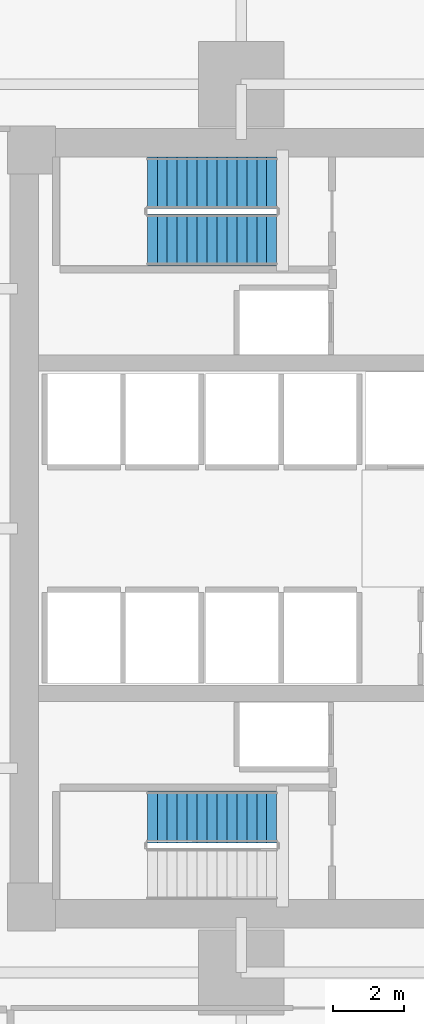
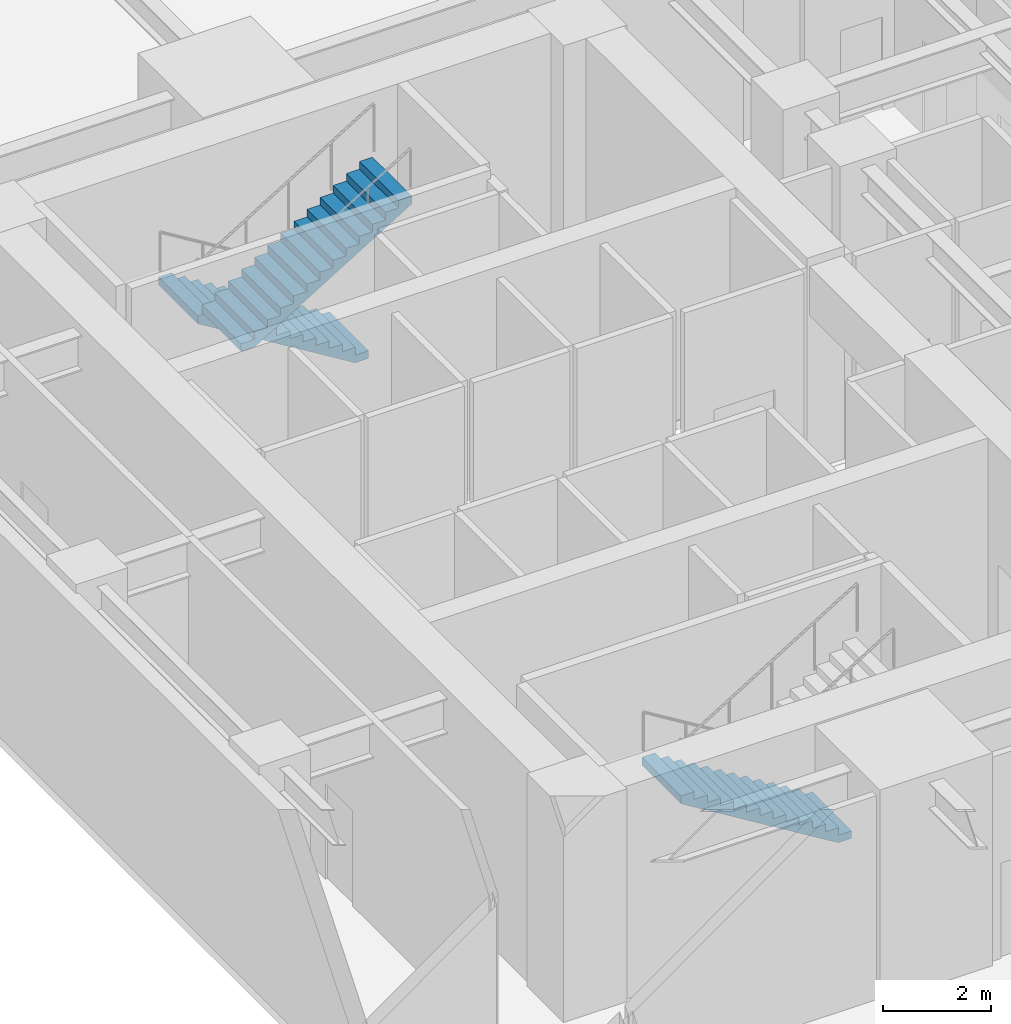
# One storey, part 11 of 13: 3 stair flights, 2 elements without a shape of their own.
"""IFC4 building model written with IfcOpenShell, lengths in metres."""

from ifc_helpers import new_model, si_unit, direction, frame, origin, place, context, subcontext, project, spatial, polyline, outline, extrude, material, type_object, element, aggregate, save


model = new_model("IFC4")

# Units and contexts
model_context = context("Model", 3, precision=1e-05, world=origin(), true_north=direction((0.0, 1.0)))
body_context = subcontext(model_context, "Body", "Model", "MODEL_VIEW")
ifc_project = project(units=[si_unit("LENGTHUNIT", "METRE"), si_unit("AREAUNIT", "SQUARE_METRE"), si_unit("VOLUMEUNIT", "CUBIC_METRE"), si_unit("PLANEANGLEUNIT", "RADIAN"), si_unit("MASSUNIT", "GRAM", prefix="KILO")], contexts=[model_context])

# Site, building, storey
site_placement = place(None, origin())
site = spatial("IfcSite", under=ifc_project, at=site_placement, CompositionType="ELEMENT")
building_placement = place(site_placement, origin())
building = spatial("IfcBuilding", under=site, at=building_placement, Name="Kinhvarn Gate Tower", CompositionType="ELEMENT")
storey_placement = place(building_placement, frame((0.0, 0.0, 6.0)))
storey = spatial("IfcBuildingStorey", under=building, at=storey_placement, Name="L01", CompositionType="ELEMENT", Elevation=6.0)

# Stair, stair flight
ifc_material = material(Name="Concrete C40/50", Category="concrete")
stair_type = type_object("IfcStairType", Name="STR-DLG-171", PredefinedType="HALF_TURN_STAIR", material=ifc_material)
stair_1_placement = place(storey_placement, origin())
stair_1 = element("IfcStair", 1, at=stair_1_placement, inside=storey, type_object=stair_type, Name="L01 Core Smokeproof Exit Stair ST1", PredefinedType="HALF_TURN_STAIR")
stair_flight_type = type_object("IfcStairFlightType", Name="STF-DLG-171", PredefinedType="STRAIGHT", material=ifc_material)
stair_flight_1_placement = place(storey_placement, frame((12.0, 17.125, 0.0), z_axis=(0.0, 0.0, 1.0), x_axis=(-1.0, 0.0, 0.0)))
stair_flight_1 = element("IfcStairFlight", 2, at=stair_flight_1_placement, type_object=stair_flight_type, Name="ST1 flight 1", NumberOfRisers=14, NumberOfTreads=13, PredefinedType="STRAIGHT", RiserHeight=0.171428571, TreadLength=0.28, context=body_context, shape_type="SweptSolid", body=[
    extrude(outline(polyline([(0.0, 0.0), (0.0, 0.17138671875), (0.280029296875, 0.17138671875), (0.280029296875, 0.3427734375), (0.56005859375, 0.3427734375), (0.56005859375, 0.514404296875), (0.840087890625, 0.514404296875), (0.840087890625, 0.685791015625), (1.1201171875, 0.685791015625), (1.1201171875, 0.857177734375), (1.39990234375, 0.857177734375), (1.39990234375, 1.028564453125), (1.679931640625, 1.028564453125), (1.679931640625, 1.199951171875), (1.9599609375, 1.199951171875), (1.9599609375, 1.371337890625), (2.239990234375, 1.371337890625), (2.239990234375, 1.54296875), (2.52001953125, 1.54296875), (2.52001953125, 1.71435546875), (2.800048828125, 1.71435546875), (2.800048828125, 1.8857421875), (3.080078125, 1.8857421875), (3.080078125, 2.05712890625), (3.360107421875, 2.05712890625), (3.360107421875, 2.228515625), (3.639892578125, 2.228515625), (3.639892578125, 2.39990234375), (3.639892578125, 2.052734375), (0.287109375, 0.0), (0.0, 0.0)])), frame((0.0, 0.72509765625, 0.0), z_axis=(0.0, -1.0, 0.0), x_axis=(1.0, 0.0, 0.0)), (0.0, 0.0, 1.0), 1.449951171875),
])
aggregate(stair_1, [stair_flight_1])

# Stair, stair flights
stair_2_placement = place(storey_placement, origin())
stair_2 = element("IfcStair", 3, at=stair_2_placement, inside=storey, type_object=stair_type, Name="L01 Core Smokeproof Exit Stair ST2", PredefinedType="HALF_TURN_STAIR")
stair_flight_2_placement = place(storey_placement, frame((12.0, 34.97509765625, 0.0), z_axis=(0.0, 0.0, 1.0), x_axis=(-1.0, 0.0, 0.0)))
stair_flight_2 = element("IfcStairFlight", 4, at=stair_flight_2_placement, type_object=stair_flight_type, Name="ST2 flight 1", NumberOfRisers=14, NumberOfTreads=13, PredefinedType="STRAIGHT", RiserHeight=0.171428571, TreadLength=0.28, context=body_context, shape_type="SweptSolid", body=[
    extrude(outline(polyline([(0.0, 0.0), (0.0, 0.17138671875), (0.280029296875, 0.17138671875), (0.280029296875, 0.3427734375), (0.56005859375, 0.3427734375), (0.56005859375, 0.514404296875), (0.840087890625, 0.514404296875), (0.840087890625, 0.685791015625), (1.1201171875, 0.685791015625), (1.1201171875, 0.857177734375), (1.39990234375, 0.857177734375), (1.39990234375, 1.028564453125), (1.679931640625, 1.028564453125), (1.679931640625, 1.199951171875), (1.9599609375, 1.199951171875), (1.9599609375, 1.371337890625), (2.239990234375, 1.371337890625), (2.239990234375, 1.54296875), (2.52001953125, 1.54296875), (2.52001953125, 1.71435546875), (2.800048828125, 1.71435546875), (2.800048828125, 1.8857421875), (3.080078125, 1.8857421875), (3.080078125, 2.05712890625), (3.360107421875, 2.05712890625), (3.360107421875, 2.228515625), (3.639892578125, 2.228515625), (3.639892578125, 2.39990234375), (3.639892578125, 2.052734375), (0.287109375, 0.0), (0.0, 0.0)])), frame((0.0, 0.72509765625, 0.0), z_axis=(0.0, -1.0, 0.0), x_axis=(1.0, 0.0, 0.0)), (0.0, 0.0, 1.0), 1.449951171875),
])
stair_flight_3_placement = place(storey_placement, frame((8.360107421875, 33.375, 2.39990234375), z_axis=(0.0, 0.0, 1.0), x_axis=(1.0, 0.0, 0.0)))
stair_flight_3 = element("IfcStairFlight", 5, at=stair_flight_3_placement, type_object=stair_flight_type, Name="ST2 flight 2", NumberOfRisers=14, NumberOfTreads=13, PredefinedType="STRAIGHT", RiserHeight=0.171428571, TreadLength=0.28, context=body_context, shape_type="SweptSolid", body=[
    extrude(outline(polyline([(0.0, 0.0), (0.0, 0.17138671875), (0.280029296875, 0.17138671875), (0.280029296875, 0.3427734375), (0.56005859375, 0.3427734375), (0.56005859375, 0.514404296875), (0.840087890625, 0.514404296875), (0.840087890625, 0.685791015625), (1.1201171875, 0.685791015625), (1.1201171875, 0.857177734375), (1.39990234375, 0.857177734375), (1.39990234375, 1.028564453125), (1.679931640625, 1.028564453125), (1.679931640625, 1.199951171875), (1.9599609375, 1.199951171875), (1.9599609375, 1.371337890625), (2.239990234375, 1.371337890625), (2.239990234375, 1.54296875), (2.52001953125, 1.54296875), (2.52001953125, 1.71435546875), (2.800048828125, 1.71435546875), (2.800048828125, 1.8857421875), (3.080078125, 1.8857421875), (3.080078125, 2.05712890625), (3.360107421875, 2.05712890625), (3.360107421875, 2.228515625), (3.639892578125, 2.228515625), (3.639892578125, 2.39990234375), (3.639892578125, 2.052734375), (0.287109375, 0.0), (0.0, 0.0)])), frame((0.0, 0.72509765625, 0.0), z_axis=(0.0, -1.0, 0.0), x_axis=(1.0, 0.0, 0.0)), (0.0, 0.0, 1.0), 1.449951171875),
])
aggregate(stair_2, [stair_flight_2, stair_flight_3])

save(model, "model.ifc")
